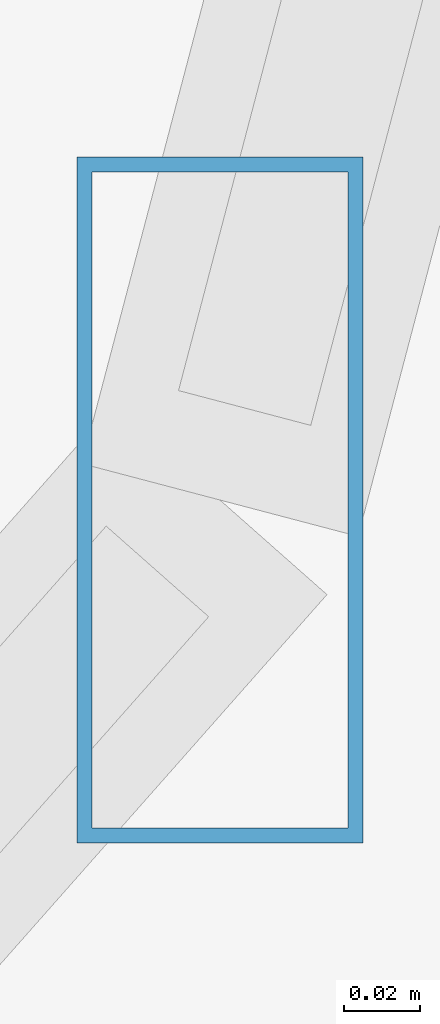
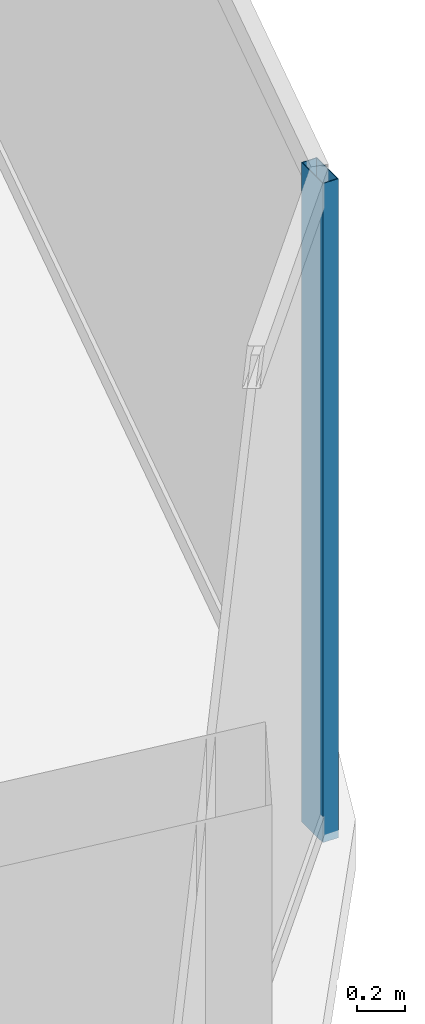
# One storey, part 14 of 31: 1 member, 1 element without a shape of its own.
"""IFC4 building model written with IfcOpenShell, lengths in metres."""

from ifc_helpers import new_model, si_unit, direction, frame, origin, origin_2d, place, context, subcontext, project, spatial, hollow_rectangle, extrude, material, material_profile, profile_set, type_object, element, aggregate, save


model = new_model("IFC4")

# Units and contexts
model_context = context("Model", 3, precision=1e-05, world=origin(), true_north=direction((0.0, 1.0)))
body_context = subcontext(model_context, "Body", "Model", "MODEL_VIEW")
ifc_project = project(units=[si_unit("LENGTHUNIT", "METRE"), si_unit("AREAUNIT", "SQUARE_METRE"), si_unit("VOLUMEUNIT", "CUBIC_METRE"), si_unit("PLANEANGLEUNIT", "RADIAN"), si_unit("MASSUNIT", "GRAM", prefix="KILO")], contexts=[model_context])

# Site, building, storey
site_placement = place(None, origin())
site = spatial("IfcSite", under=ifc_project, at=site_placement, CompositionType="ELEMENT")
building_placement = place(site_placement, origin())
building = spatial("IfcBuilding", under=site, at=building_placement, Name="Vorneva Point Tower", CompositionType="ELEMENT")
storey_placement = place(building_placement, frame((0.0, 0.0, 266.199951171875)))
storey = spatial("IfcBuildingStorey", under=building, at=storey_placement, Name="L72", CompositionType="ELEMENT", Elevation=266.199951171875)

# Curtain wall, member
ifc_material = material(Name="Pale anodised aluminium", Category="aluminium")
curtain_wall_type = type_object("IfcCurtainWallType", Name="CW-RES-SYS", PredefinedType="NOTDEFINED", material=ifc_material)
curtain_wall_placement = place(storey_placement, origin())
curtain_wall = element("IfcCurtainWall", 1, at=curtain_wall_placement, inside=storey, type_object=curtain_wall_type, Name="L72 Unitised Curtain Wall CW-L72-R01", PredefinedType="NOTDEFINED")
ifc_material_profile = material_profile(ifc_material, hollow_rectangle(XDim=0.074951171875, YDim=0.179931640625, WallThickness=0.00390625, at=origin_2d()), Name="AL-MUL 180x75x4")
ifc_profile_set = profile_set([ifc_material_profile], Name="Pale anodised aluminium")
member_type = type_object("IfcMemberType", Name="CW-MUL-180", PredefinedType="MULLION", material=ifc_profile_set)
member_placement = place(storey_placement, frame((62.20556640625, 18.4189453125, -0.0400390625), z_axis=(0.0, 0.0, 1.0), x_axis=(1.0, 0.0, 0.0)))
member = element("IfcMember", 2, at=member_placement, type_object=member_type, Name="CW-L72-R01 Mullion 02", PredefinedType="MULLION", context=body_context, shape_type="SweptSolid", body=[
    extrude(hollow_rectangle(XDim=0.074951171875, YDim=0.179931640625, WallThickness=0.00390625, at=origin_2d()), origin(), (0.0, 0.0, 1.0), 3.360107421875),
])
aggregate(curtain_wall, [member])

save(model, "model.ifc")
